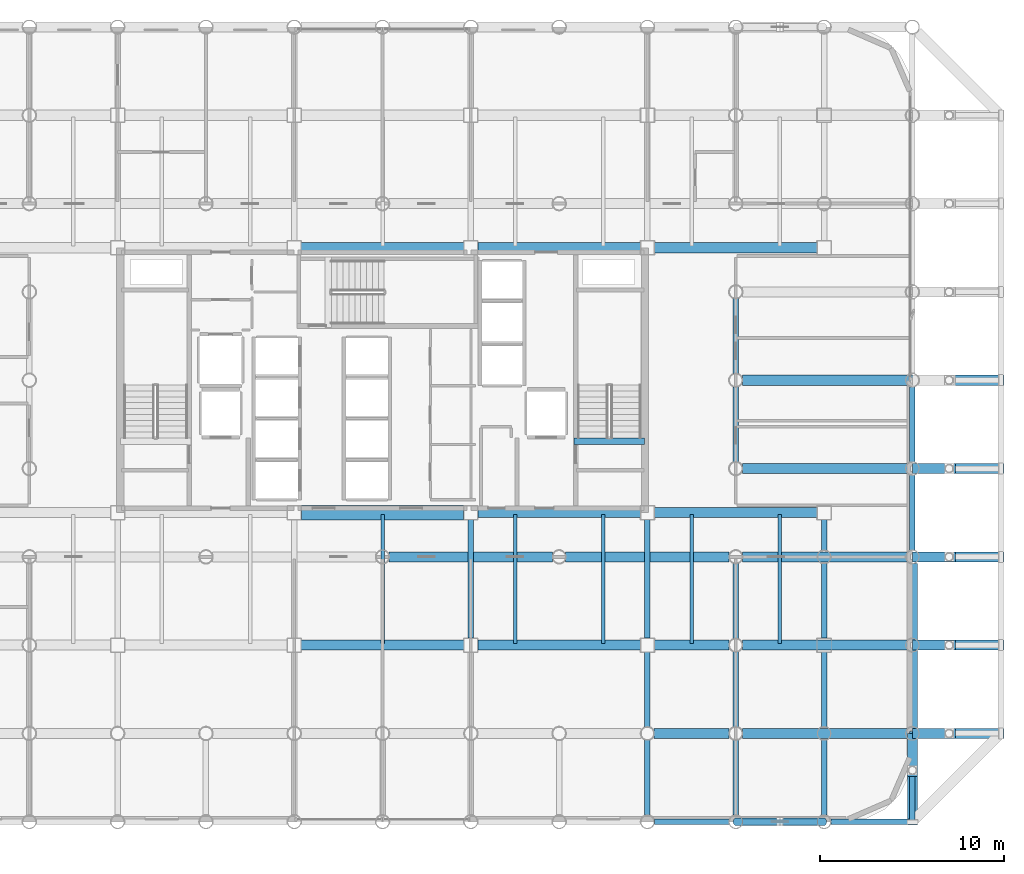
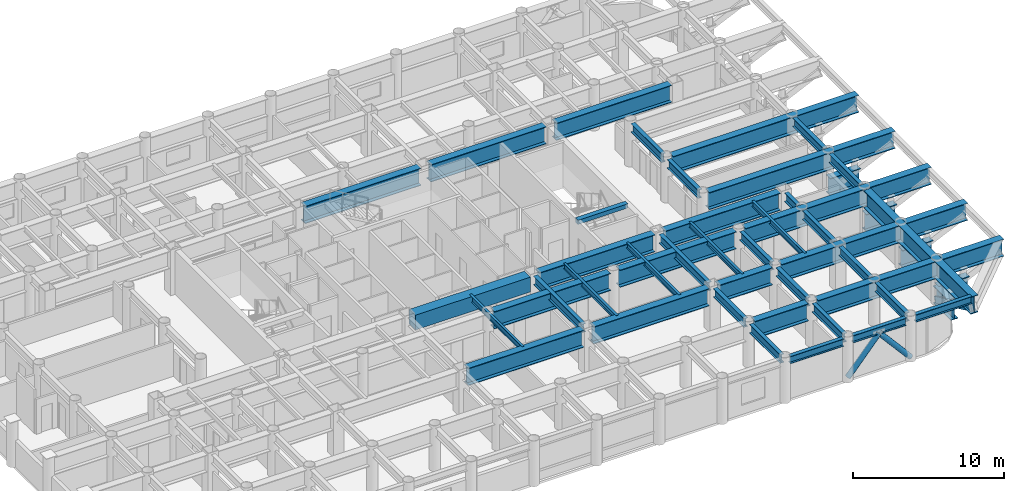
# One storey, part 9 of 26: 47 beams, 3 members.
"""IFC4 building model written with IfcOpenShell, lengths in metres."""

from ifc_helpers import new_model, si_unit, direction, frame, origin, origin_2d, place, context, subcontext, project, spatial, rectangle, hollow_rectangle, hollow_circle, i_section, extrude, material, material_profile, profile_set, type_object, element, save


model = new_model("IFC4")

# Units and contexts
model_context = context("Model", 3, precision=1e-05, world=origin(), true_north=direction((0.0, 1.0)))
body_context = subcontext(model_context, "Body", "Model", "MODEL_VIEW")
ifc_project = project(units=[si_unit("LENGTHUNIT", "METRE"), si_unit("AREAUNIT", "SQUARE_METRE"), si_unit("VOLUMEUNIT", "CUBIC_METRE"), si_unit("PLANEANGLEUNIT", "RADIAN"), si_unit("MASSUNIT", "GRAM", prefix="KILO")], contexts=[model_context])

# Site, building, storey
site_placement = place(None, origin())
site = spatial("IfcSite", under=ifc_project, at=site_placement, CompositionType="ELEMENT")
building_placement = place(site_placement, origin())
building = spatial("IfcBuilding", under=site, at=building_placement, Name="Kallvorn Hotel Tower", CompositionType="ELEMENT")
storey_placement = place(building_placement, frame((0.0, 0.0, 55.89990234375)))
storey = spatial("IfcBuildingStorey", under=building, at=storey_placement, Name="L12", CompositionType="ELEMENT", Elevation=55.89990234375)

# Beams
ifc_material_1 = material(Name="Structural steel S355JR", Category="steel")
ifc_material_profile_1 = material_profile(ifc_material_1, i_section(OverallWidth=0.300048828125, OverallDepth=0.60009765625, WebThickness=0.015380859375, FlangeThickness=0.030029296875, at=origin_2d()), Name="HE 600 B")
ifc_profile_set_1 = profile_set([ifc_material_profile_1], Name="Structural steel S355JR")
beam_type_1 = type_object("IfcBeamType", Name="BM_HE600B", PredefinedType="SPANDREL", material=ifc_profile_set_1)
beam_1_placement = place(storey_placement, frame((14.77099609375, -24.0, 3.22021484375), z_axis=(1.0, 0.0, 0.0), x_axis=(0.0, 1.0, 0.0)))
element("IfcBeam", 1, at=beam_1_placement, inside=storey, type_object=beam_type_1, Name="L13 Perimeter Spandrel 168", PredefinedType="SPANDREL", context=body_context, shape_type="SweptSolid", body=[
    extrude(i_section(OverallWidth=0.300048828125, OverallDepth=0.60009765625, WebThickness=0.015380859375, FlangeThickness=0.030029296875, at=origin_2d()), origin(), (0.0, 0.0, 1.0), 4.05810546875),
])
beam_2_placement = place(storey_placement, frame((19.571044921875, -24.0, 3.22021484375), z_axis=(1.0, 0.0, 0.0), x_axis=(0.0, 1.0, 0.0)))
element("IfcBeam", 2, at=beam_2_placement, inside=storey, type_object=beam_type_1, Name="L13 Perimeter Spandrel 169", PredefinedType="SPANDREL", context=body_context, shape_type="SweptSolid", body=[
    extrude(i_section(OverallWidth=0.300048828125, OverallDepth=0.60009765625, WebThickness=0.015380859375, FlangeThickness=0.030029296875, at=origin_2d()), origin(), (0.0, 0.0, 1.0), 4.057861328125),
])
beam_3_placement = place(storey_placement, frame((24.37109375, -24.0, 3.22021484375), z_axis=(1.0, 0.0, 0.0), x_axis=(0.0, 1.0, 0.0)))
element("IfcBeam", 3, at=beam_3_placement, inside=storey, type_object=beam_type_1, Name="L13 Perimeter Spandrel 170", PredefinedType="SPANDREL", context=body_context, shape_type="SweptSolid", body=[
    extrude(i_section(OverallWidth=0.300048828125, OverallDepth=0.60009765625, WebThickness=0.015380859375, FlangeThickness=0.030029296875, at=origin_2d()), origin(), (0.0, 0.0, 1.0), 4.27880859375),
])
ifc_material_2 = material(Name="Structural steel S355JR", Category="steel")
ifc_material_profile_2 = material_profile(ifc_material_2, i_section(OverallWidth=0.300048828125, OverallDepth=0.699951171875, WebThickness=0.01708984375, FlangeThickness=0.031982421875, at=origin_2d()), Name="HE 700 B")
ifc_profile_set_2 = profile_set([ifc_material_profile_2], Name="Structural steel S355JR")
beam_type_2 = type_object("IfcBeamType", Name="BM_HE700B", PredefinedType="BEAM", material=ifc_profile_set_2)
beam_4_placement = place(storey_placement, frame((4.800048828125, -14.02490234375, 3.170166015625), z_axis=(0.0, 1.0, 0.0), x_axis=(-1.0, 0.0, 0.0)))
element("IfcBeam", 4, at=beam_4_placement, inside=storey, type_object=beam_type_2, Name="L13 Primary Y-Girder 125", PredefinedType="BEAM", context=body_context, shape_type="SweptSolid", body=[
    extrude(i_section(OverallWidth=0.300048828125, OverallDepth=0.699951171875, WebThickness=0.01708984375, FlangeThickness=0.031982421875, at=origin_2d()), origin(), (0.0, 0.0, 1.0), 6.449951171875),
])
beam_5_placement = place(storey_placement, frame((14.39990234375, -23.64404296875, 3.170166015625), z_axis=(0.0, 1.0, 0.0), x_axis=(-1.0, 0.0, 0.0)))
element("IfcBeam", 5, at=beam_5_placement, inside=storey, type_object=beam_type_2, Name="L13 Primary Y-Girder 131", PredefinedType="BEAM", context=body_context, shape_type="SweptSolid", body=[
    extrude(i_section(OverallWidth=0.300048828125, OverallDepth=0.699951171875, WebThickness=0.01708984375, FlangeThickness=0.031982421875, at=origin_2d()), origin(), (0.0, 0.0, 1.0), 4.088134765625),
])
beam_6_placement = place(storey_placement, frame((14.39990234375, -18.843994140625, 3.170166015625), z_axis=(0.0, 1.0, 0.0), x_axis=(-1.0, 0.0, 0.0)))
element("IfcBeam", 6, at=beam_6_placement, inside=storey, type_object=beam_type_2, Name="L13 Primary Y-Girder 132", PredefinedType="BEAM", context=body_context, shape_type="SweptSolid", body=[
    extrude(i_section(OverallWidth=0.300048828125, OverallDepth=0.699951171875, WebThickness=0.01708984375, FlangeThickness=0.031982421875, at=origin_2d()), origin(), (0.0, 0.0, 1.0), 4.069091796875),
])
beam_7_placement = place(storey_placement, frame((14.39990234375, -14.02490234375, 3.170166015625), z_axis=(0.0, 1.0, 0.0), x_axis=(-1.0, 0.0, 0.0)))
element("IfcBeam", 7, at=beam_7_placement, inside=storey, type_object=beam_type_2, Name="L13 Primary Y-Girder 133", PredefinedType="BEAM", context=body_context, shape_type="SweptSolid", body=[
    extrude(i_section(OverallWidth=0.300048828125, OverallDepth=0.699951171875, WebThickness=0.01708984375, FlangeThickness=0.031982421875, at=origin_2d()), origin(), (0.0, 0.0, 1.0), 6.449951171875),
])
beam_8_placement = place(storey_placement, frame((19.199951171875, -23.64404296875, 3.170166015625), z_axis=(0.0, 1.0, 0.0), x_axis=(-1.0, 0.0, 0.0)))
element("IfcBeam", 8, at=beam_8_placement, inside=storey, type_object=beam_type_2, Name="L13 Primary Y-Girder 136", PredefinedType="BEAM", context=body_context, shape_type="SweptSolid", body=[
    extrude(i_section(OverallWidth=0.300048828125, OverallDepth=0.699951171875, WebThickness=0.01708984375, FlangeThickness=0.031982421875, at=origin_2d()), origin(), (0.0, 0.0, 1.0), 4.088134765625),
])
for number, where, z_axis, x_axis, name in (
    (9, (19.199951171875, -18.843994140625, 3.170166015625), (0.0, 1.0, 0.0), (-1.0, 0.0, 0.0), "L13 Primary Y-Girder 137"),
    (10, (19.199951171875, -14.0439453125, 3.170166015625), (0.0, 1.0, 0.0), (-1.0, 0.0, 0.0), "L13 Primary Y-Girder 138"),
):
    element("IfcBeam", number, at=place(storey_placement, frame(where, z_axis=z_axis, x_axis=x_axis)), inside=storey, type_object=beam_type_2, Name=name, PredefinedType="BEAM", context=body_context, shape_type="SweptSolid", body=[
        extrude(i_section(OverallWidth=0.300048828125, OverallDepth=0.699951171875, WebThickness=0.01708984375, FlangeThickness=0.031982421875, at=origin_2d()), origin(), (0.0, 0.0, 1.0), 4.087890625),
    ])
for number, where, z_axis, x_axis, name in (
    (11, (19.199951171875, -4.444091796875, 3.170166015625), (0.0, 1.0, 0.0), (-1.0, 0.0, 0.0), "L13 Primary Y-Girder 140"),
    (12, (19.199951171875, 0.35595703125, 3.170166015625), (0.0, 1.0, 0.0), (-1.0, 0.0, 0.0), "L13 Primary Y-Girder 141"),
    (13, (24.0, -23.64404296875, 3.170166015625), (0.0, 1.0, 0.0), (-1.0, 0.0, 0.0), "L13 Primary Y-Girder 145"),
):
    element("IfcBeam", number, at=place(storey_placement, frame(where, z_axis=z_axis, x_axis=x_axis)), inside=storey, type_object=beam_type_2, Name=name, PredefinedType="BEAM", context=body_context, shape_type="SweptSolid", body=[
        extrude(i_section(OverallWidth=0.300048828125, OverallDepth=0.699951171875, WebThickness=0.01708984375, FlangeThickness=0.031982421875, at=origin_2d()), origin(), (0.0, 0.0, 1.0), 4.088134765625),
    ])
beam_9_placement = place(storey_placement, frame((24.0, -18.843994140625, 3.170166015625), z_axis=(0.0, 1.0, 0.0), x_axis=(-1.0, 0.0, 0.0)))
element("IfcBeam", 14, at=beam_9_placement, inside=storey, type_object=beam_type_2, Name="L13 Primary Y-Girder 146", PredefinedType="BEAM", context=body_context, shape_type="SweptSolid", body=[
    extrude(i_section(OverallWidth=0.300048828125, OverallDepth=0.699951171875, WebThickness=0.01708984375, FlangeThickness=0.031982421875, at=origin_2d()), origin(), (0.0, 0.0, 1.0), 4.069091796875),
])
beam_10_placement = place(storey_placement, frame((24.0, -14.02490234375, 3.170166015625), z_axis=(0.0, 1.0, 0.0), x_axis=(-1.0, 0.0, 0.0)))
element("IfcBeam", 15, at=beam_10_placement, inside=storey, type_object=beam_type_2, Name="L13 Primary Y-Girder 147", PredefinedType="BEAM", context=body_context, shape_type="SweptSolid", body=[
    extrude(i_section(OverallWidth=0.300048828125, OverallDepth=0.699951171875, WebThickness=0.01708984375, FlangeThickness=0.031982421875, at=origin_2d()), origin(), (0.0, 0.0, 1.0), 4.06884765625),
])
beam_11_placement = place(storey_placement, frame((24.0, -9.243896484375, 3.170166015625), z_axis=(0.0, 1.0, 0.0), x_axis=(-1.0, 0.0, 0.0)))
element("IfcBeam", 16, at=beam_11_placement, inside=storey, type_object=beam_type_2, Name="L13 Primary Y-Girder 148", PredefinedType="BEAM", context=body_context, shape_type="SweptSolid", body=[
    extrude(i_section(OverallWidth=0.300048828125, OverallDepth=0.699951171875, WebThickness=0.01708984375, FlangeThickness=0.031982421875, at=origin_2d()), origin(), (0.0, 0.0, 1.0), 1.6689453125),
])
beam_12_placement = place(storey_placement, frame((28.800048828125, -9.243896484375, 3.170166015625), z_axis=(0.0, 1.0, 0.0), x_axis=(-1.0, 0.0, 0.0)))
element("IfcBeam", 17, at=beam_12_placement, inside=storey, type_object=beam_type_2, Name="L13 Primary Y-Girder 154", PredefinedType="BEAM", context=body_context, shape_type="SweptSolid", body=[
    extrude(i_section(OverallWidth=0.300048828125, OverallDepth=0.699951171875, WebThickness=0.01708984375, FlangeThickness=0.031982421875, at=origin_2d()), origin(), (0.0, 0.0, 1.0), 4.087890625),
])
beam_13_placement = place(storey_placement, frame((28.800048828125, -4.444091796875, 3.170166015625), z_axis=(0.0, 1.0, 0.0), x_axis=(-1.0, 0.0, 0.0)))
element("IfcBeam", 18, at=beam_13_placement, inside=storey, type_object=beam_type_2, Name="L13 Primary Y-Girder 155", PredefinedType="BEAM", context=body_context, shape_type="SweptSolid", body=[
    extrude(i_section(OverallWidth=0.300048828125, OverallDepth=0.699951171875, WebThickness=0.01708984375, FlangeThickness=0.031982421875, at=origin_2d()), origin(), (0.0, 0.0, 1.0), 4.088134765625),
])
ifc_material_3 = material(Name="Structural steel S355JR", Category="steel")
ifc_material_profile_3 = material_profile(ifc_material_3, i_section(OverallWidth=0.18994140625, OverallDepth=0.449951171875, WebThickness=0.009521484375, FlangeThickness=0.0146484375, at=origin_2d()), Name="IPE 450")
ifc_profile_set_3 = profile_set([ifc_material_profile_3], Name="Structural steel S355JR")
beam_type_3 = type_object("IfcBeamType", Name="BM_IPE450", PredefinedType="JOIST", material=ifc_profile_set_3)
for number, where, z_axis, x_axis, name in (
    (19, (0.0, -14.300048828125, 3.295166015625), (0.0, 1.0, 0.0), (-1.0, 0.0, 0.0), "L13 Secondary Composite Joist 209"),
    (20, (7.199951171875, -14.300048828125, 3.295166015625), (0.0, 1.0, 0.0), (-1.0, 0.0, 0.0), "L13 Secondary Composite Joist 211"),
    (21, (12.0, -14.300048828125, 3.295166015625), (0.0, 1.0, 0.0), (-1.0, 0.0, 0.0), "L13 Secondary Composite Joist 213"),
    (22, (16.800048828125, -14.300048828125, 3.295166015625), (0.0, 1.0, 0.0), (-1.0, 0.0, 0.0), "L13 Secondary Composite Joist 215"),
    (23, (21.60009765625, -14.300048828125, 3.295166015625), (0.0, 1.0, 0.0), (-1.0, 0.0, 0.0), "L13 Secondary Composite Joist 217"),
):
    element("IfcBeam", number, at=place(storey_placement, frame(where, z_axis=z_axis, x_axis=x_axis)), inside=storey, type_object=beam_type_3, Name=name, PredefinedType="JOIST", context=body_context, shape_type="SweptSolid", body=[
        extrude(i_section(OverallWidth=0.18994140625, OverallDepth=0.449951171875, WebThickness=0.009521484375, FlangeThickness=0.0146484375, at=origin_2d()), origin(), (0.0, 0.0, 1.0), 7.0),
    ])
ifc_material_4 = material(Name="Structural steel S355JR", Category="steel")
ifc_material_profile_4 = material_profile(ifc_material_4, i_section(OverallWidth=0.550048828125, OverallDepth=1.39990234375, WebThickness=0.02490234375, FlangeThickness=0.044921875, at=origin_2d()), Name="PG 1400x550x25x45")
ifc_profile_set_4 = profile_set([ifc_material_profile_4], Name="Structural steel S355JR")
beam_type_4 = type_object("IfcBeamType", Name="BM_PG_1400", PredefinedType="BEAM", material=ifc_profile_set_4)
beam_14_placement = place(storey_placement, frame((28.800048828125, -9.970947265625, 2.820068359375), z_axis=(0.0, -1.0, 0.0), x_axis=(1.0, 0.0, 0.0)))
element("IfcBeam", 24, at=beam_14_placement, inside=storey, type_object=beam_type_4, Name="L13 Continuous Cantilever Transfer Girder 01", PredefinedType="BEAM", context=body_context, shape_type="SweptSolid", body=[
    extrude(i_section(OverallWidth=0.550048828125, OverallDepth=1.39990234375, WebThickness=0.02490234375, FlangeThickness=0.044921875, at=origin_2d()), origin(), (0.0, 0.0, 1.0), 14.208984375),
])
beam_15_placement = place(storey_placement, frame((28.800048828125, -19.199951171875, 0.72021484375), z_axis=(0.0, -1.0, 0.0), x_axis=(1.0, 0.0, 0.0)))
element("IfcBeam", 25, at=beam_15_placement, inside=storey, type_object=beam_type_4, Name="L13 Cantilever Haunch Corbel 01", PredefinedType="BEAM", context=body_context, shape_type="SweptSolid", body=[
    extrude(i_section(OverallWidth=0.550048828125, OverallDepth=1.39990234375, WebThickness=0.02490234375, FlangeThickness=0.044921875, at=origin_2d()), origin(), (0.0, 0.0, 1.0), 2.35009765625),
])
beam_16_placement = place(storey_placement, frame((19.571044921875, -19.199951171875, 2.820068359375), z_axis=(1.0, 0.0, 0.0), x_axis=(0.0, 1.0, 0.0)))
element("IfcBeam", 26, at=beam_16_placement, inside=storey, type_object=beam_type_4, Name="L13 Continuous Cantilever Transfer Girder 02", PredefinedType="BEAM", context=body_context, shape_type="SweptSolid", body=[
    extrude(i_section(OverallWidth=0.550048828125, OverallDepth=1.39990234375, WebThickness=0.02490234375, FlangeThickness=0.044921875, at=origin_2d()), origin(), (0.0, 0.0, 1.0), 14.208984375),
])
beam_17_placement = place(storey_placement, frame((28.800048828125, -19.199951171875, 0.72021484375), z_axis=(1.0, 0.0, 0.0), x_axis=(0.0, 1.0, 0.0)))
element("IfcBeam", 27, at=beam_17_placement, inside=storey, type_object=beam_type_4, Name="L13 Cantilever Haunch Corbel 02", PredefinedType="BEAM", context=body_context, shape_type="SweptSolid", body=[
    extrude(i_section(OverallWidth=0.550048828125, OverallDepth=1.39990234375, WebThickness=0.02490234375, FlangeThickness=0.044921875, at=origin_2d()), origin(), (0.0, 0.0, 1.0), 2.349853515625),
])
beam_18_placement = place(storey_placement, frame((19.571044921875, -14.39990234375, 2.820068359375), z_axis=(1.0, 0.0, 0.0), x_axis=(0.0, 1.0, 0.0)))
element("IfcBeam", 28, at=beam_18_placement, inside=storey, type_object=beam_type_4, Name="L13 Continuous Cantilever Transfer Girder 03", PredefinedType="BEAM", context=body_context, shape_type="SweptSolid", body=[
    extrude(i_section(OverallWidth=0.550048828125, OverallDepth=1.39990234375, WebThickness=0.02490234375, FlangeThickness=0.044921875, at=origin_2d()), origin(), (0.0, 0.0, 1.0), 14.208984375),
])
beam_19_placement = place(storey_placement, frame((28.800048828125, -14.39990234375, 0.72021484375), z_axis=(1.0, 0.0, 0.0), x_axis=(0.0, 1.0, 0.0)))
element("IfcBeam", 29, at=beam_19_placement, inside=storey, type_object=beam_type_4, Name="L13 Cantilever Haunch Corbel 03", PredefinedType="BEAM", context=body_context, shape_type="SweptSolid", body=[
    extrude(i_section(OverallWidth=0.550048828125, OverallDepth=1.39990234375, WebThickness=0.02490234375, FlangeThickness=0.044921875, at=origin_2d()), origin(), (0.0, 0.0, 1.0), 2.349853515625),
])
beam_20_placement = place(storey_placement, frame((19.571044921875, -9.60009765625, 2.820068359375), z_axis=(1.0, 0.0, 0.0), x_axis=(0.0, 1.0, 0.0)))
element("IfcBeam", 30, at=beam_20_placement, inside=storey, type_object=beam_type_4, Name="L13 Continuous Cantilever Transfer Girder 04", PredefinedType="BEAM", context=body_context, shape_type="SweptSolid", body=[
    extrude(i_section(OverallWidth=0.550048828125, OverallDepth=1.39990234375, WebThickness=0.02490234375, FlangeThickness=0.044921875, at=origin_2d()), origin(), (0.0, 0.0, 1.0), 14.208984375),
])
beam_21_placement = place(storey_placement, frame((28.800048828125, -9.60009765625, 0.72021484375), z_axis=(1.0, 0.0, 0.0), x_axis=(0.0, 1.0, 0.0)))
element("IfcBeam", 31, at=beam_21_placement, inside=storey, type_object=beam_type_4, Name="L13 Cantilever Haunch Corbel 04", PredefinedType="BEAM", context=body_context, shape_type="SweptSolid", body=[
    extrude(i_section(OverallWidth=0.550048828125, OverallDepth=1.39990234375, WebThickness=0.02490234375, FlangeThickness=0.044921875, at=origin_2d()), origin(), (0.0, 0.0, 1.0), 2.349853515625),
])
beam_22_placement = place(storey_placement, frame((19.571044921875, -4.800048828125, 2.820068359375), z_axis=(1.0, 0.0, 0.0), x_axis=(0.0, 1.0, 0.0)))
element("IfcBeam", 32, at=beam_22_placement, inside=storey, type_object=beam_type_4, Name="L13 Continuous Cantilever Transfer Girder 05", PredefinedType="BEAM", context=body_context, shape_type="SweptSolid", body=[
    extrude(i_section(OverallWidth=0.550048828125, OverallDepth=1.39990234375, WebThickness=0.02490234375, FlangeThickness=0.044921875, at=origin_2d()), origin(), (0.0, 0.0, 1.0), 14.208984375),
])
beam_23_placement = place(storey_placement, frame((28.800048828125, -4.800048828125, 0.72021484375), z_axis=(1.0, 0.0, 0.0), x_axis=(0.0, 1.0, 0.0)))
element("IfcBeam", 33, at=beam_23_placement, inside=storey, type_object=beam_type_4, Name="L13 Cantilever Haunch Corbel 05", PredefinedType="BEAM", context=body_context, shape_type="SweptSolid", body=[
    extrude(i_section(OverallWidth=0.550048828125, OverallDepth=1.39990234375, WebThickness=0.02490234375, FlangeThickness=0.044921875, at=origin_2d()), origin(), (0.0, 0.0, 1.0), 2.349853515625),
])
beam_24_placement = place(storey_placement, frame((19.571044921875, 0.0, 2.820068359375), z_axis=(1.0, 0.0, 0.0), x_axis=(0.0, 1.0, 0.0)))
element("IfcBeam", 34, at=beam_24_placement, inside=storey, type_object=beam_type_4, Name="L13 Continuous Cantilever Transfer Girder 06", PredefinedType="BEAM", context=body_context, shape_type="SweptSolid", body=[
    extrude(i_section(OverallWidth=0.550048828125, OverallDepth=1.39990234375, WebThickness=0.02490234375, FlangeThickness=0.044921875, at=origin_2d()), origin(), (0.0, 0.0, 1.0), 14.208984375),
])
beam_25_placement = place(storey_placement, frame((14.756103515625, -19.199951171875, 2.820068359375), z_axis=(1.0, 0.0, 0.0), x_axis=(0.0, 1.0, 0.0)))
element("IfcBeam", 35, at=beam_25_placement, inside=storey, type_object=beam_type_4, Name="L13 Primary X-Girder 20", PredefinedType="BEAM", context=body_context, shape_type="SweptSolid", body=[
    extrude(i_section(OverallWidth=0.550048828125, OverallDepth=1.39990234375, WebThickness=0.02490234375, FlangeThickness=0.044921875, at=origin_2d()), origin(), (0.0, 0.0, 1.0), 4.087890625),
])
beam_26_placement = place(storey_placement, frame((-4.425048828125, -14.39990234375, 2.820068359375), z_axis=(1.0, 0.0, 0.0), x_axis=(0.0, 1.0, 0.0)))
element("IfcBeam", 36, at=beam_26_placement, inside=storey, type_object=beam_type_4, Name="L13 Primary X-Girder 28", PredefinedType="BEAM", context=body_context, shape_type="SweptSolid", body=[
    extrude(i_section(OverallWidth=0.550048828125, OverallDepth=1.39990234375, WebThickness=0.02490234375, FlangeThickness=0.044921875, at=origin_2d()), origin(), (0.0, 0.0, 1.0), 8.85009765625),
])
beam_27_placement = place(storey_placement, frame((5.175048828125, -14.39990234375, 2.820068359375), z_axis=(1.0, 0.0, 0.0), x_axis=(0.0, 1.0, 0.0)))
element("IfcBeam", 37, at=beam_27_placement, inside=storey, type_object=beam_type_4, Name="L13 Primary X-Girder 29", PredefinedType="BEAM", context=body_context, shape_type="SweptSolid", body=[
    extrude(i_section(OverallWidth=0.550048828125, OverallDepth=1.39990234375, WebThickness=0.02490234375, FlangeThickness=0.044921875, at=origin_2d()), origin(), (0.0, 0.0, 1.0), 8.849853515625),
])
beam_28_placement = place(storey_placement, frame((14.77490234375, -14.39990234375, 2.820068359375), z_axis=(1.0, 0.0, 0.0), x_axis=(0.0, 1.0, 0.0)))
element("IfcBeam", 38, at=beam_28_placement, inside=storey, type_object=beam_type_4, Name="L13 Primary X-Girder 30", PredefinedType="BEAM", context=body_context, shape_type="SweptSolid", body=[
    extrude(i_section(OverallWidth=0.550048828125, OverallDepth=1.39990234375, WebThickness=0.02490234375, FlangeThickness=0.044921875, at=origin_2d()), origin(), (0.0, 0.0, 1.0), 4.069091796875),
])
for number, where, z_axis, x_axis, name in (
    (39, (0.35595703125, -9.60009765625, 2.820068359375), (1.0, 0.0, 0.0), (0.0, 1.0, 0.0), "L13 Primary X-Girder 38"),
    (40, (9.9560546875, -9.60009765625, 2.820068359375), (1.0, 0.0, 0.0), (0.0, 1.0, 0.0), "L13 Primary X-Girder 39"),
):
    element("IfcBeam", number, at=place(storey_placement, frame(where, z_axis=z_axis, x_axis=x_axis)), inside=storey, type_object=beam_type_4, Name=name, PredefinedType="BEAM", context=body_context, shape_type="SweptSolid", body=[
        extrude(i_section(OverallWidth=0.550048828125, OverallDepth=1.39990234375, WebThickness=0.02490234375, FlangeThickness=0.044921875, at=origin_2d()), origin(), (0.0, 0.0, 1.0), 8.887939453125),
    ])
beam_29_placement = place(storey_placement, frame((5.175048828125, -7.199951171875, 2.820068359375), z_axis=(1.0, 0.0, 0.0), x_axis=(0.0, 1.0, 0.0)))
element("IfcBeam", 41, at=beam_29_placement, inside=storey, type_object=beam_type_4, Name="L13 Primary X-Girder 44", PredefinedType="BEAM", context=body_context, shape_type="SweptSolid", body=[
    extrude(i_section(OverallWidth=0.550048828125, OverallDepth=1.39990234375, WebThickness=0.02490234375, FlangeThickness=0.044921875, at=origin_2d()), origin(), (0.0, 0.0, 1.0), 8.849853515625),
])
for number, where, z_axis, x_axis, name in (
    (42, (14.77490234375, -7.199951171875, 2.820068359375), (1.0, 0.0, 0.0), (0.0, 1.0, 0.0), "L13 Primary X-Girder 45"),
    (43, (-4.425048828125, 7.199951171875, 2.820068359375), (1.0, 0.0, 0.0), (0.0, 1.0, 0.0), "L13 Primary X-Girder 48"),
):
    element("IfcBeam", number, at=place(storey_placement, frame(where, z_axis=z_axis, x_axis=x_axis)), inside=storey, type_object=beam_type_4, Name=name, PredefinedType="BEAM", context=body_context, shape_type="SweptSolid", body=[
        extrude(i_section(OverallWidth=0.550048828125, OverallDepth=1.39990234375, WebThickness=0.02490234375, FlangeThickness=0.044921875, at=origin_2d()), origin(), (0.0, 0.0, 1.0), 8.85009765625),
    ])
beam_30_placement = place(storey_placement, frame((5.175048828125, 7.199951171875, 2.820068359375), z_axis=(1.0, 0.0, 0.0), x_axis=(0.0, 1.0, 0.0)))
element("IfcBeam", 44, at=beam_30_placement, inside=storey, type_object=beam_type_4, Name="L13 Primary X-Girder 49", PredefinedType="BEAM", context=body_context, shape_type="SweptSolid", body=[
    extrude(i_section(OverallWidth=0.550048828125, OverallDepth=1.39990234375, WebThickness=0.02490234375, FlangeThickness=0.044921875, at=origin_2d()), origin(), (0.0, 0.0, 1.0), 8.849853515625),
])
beam_31_placement = place(storey_placement, frame((14.77490234375, 7.199951171875, 2.820068359375), z_axis=(1.0, 0.0, 0.0), x_axis=(0.0, 1.0, 0.0)))
element("IfcBeam", 45, at=beam_31_placement, inside=storey, type_object=beam_type_4, Name="L13 Primary X-Girder 50", PredefinedType="BEAM", context=body_context, shape_type="SweptSolid", body=[
    extrude(i_section(OverallWidth=0.550048828125, OverallDepth=1.39990234375, WebThickness=0.02490234375, FlangeThickness=0.044921875, at=origin_2d()), origin(), (0.0, 0.0, 1.0), 8.85009765625),
])
ifc_material_5 = material(Name="Concrete C50/60", Category="concrete")
ifc_material_profile_5 = material_profile(ifc_material_5, rectangle(XDim=0.360107421875, YDim=0.340087890625, at=origin_2d()), Name="RC 360x340")
ifc_profile_set_5 = profile_set([ifc_material_profile_5], Name="Concrete C50/60")
beam_type_5 = type_object("IfcBeamType", Name="BM_RC_400x360", PredefinedType="BEAM", material=ifc_profile_set_5)
beam_32_placement = place(storey_placement, frame((14.239990234375, -3.31005859375, 3.35009765625), z_axis=(-1.0, 0.0, 0.0), x_axis=(0.0, -1.0, 0.0)))
element("IfcBeam", 46, at=beam_32_placement, inside=storey, type_object=beam_type_5, Name="L13 Stair ST2 Arrival Trimmer Beam", PredefinedType="BEAM", context=body_context, shape_type="SweptSolid", body=[
    extrude(rectangle(XDim=0.360107421875, YDim=0.340087890625, at=origin_2d()), origin(), (0.0, 0.0, 1.0), 3.820068359375),
])
ifc_material_6 = material(Name="Concrete C50/60", Category="concrete")
ifc_material_profile_6 = material_profile(ifc_material_6, rectangle(XDim=0.800048828125, YDim=1.199951171875, at=origin_2d()), Name="RC 800x1200")
ifc_profile_set_6 = profile_set([ifc_material_profile_6], Name="Concrete C50/60")
beam_type_6 = type_object("IfcBeamType", Name="BM_RC_800x1200", PredefinedType="T_BEAM", material=ifc_profile_set_6)
beam_33_placement = place(storey_placement, frame((-4.39990234375, -7.199951171875, 2.920166015625), z_axis=(1.0, 0.0, 0.0), x_axis=(0.0, 1.0, 0.0)))
element("IfcBeam", 47, at=beam_33_placement, inside=storey, type_object=beam_type_6, Name="L12 Core Coupling Beam South", PredefinedType="T_BEAM", context=body_context, shape_type="SweptSolid", body=[
    extrude(rectangle(XDim=0.800048828125, YDim=1.199951171875, at=origin_2d()), origin(), (0.0, 0.0, 1.0), 8.7998046875),
])

# Members
ifc_material_7 = material(Name="Structural steel S355J2H", Category="steel")
ifc_material_profile_7 = material_profile(ifc_material_7, hollow_circle(Radius=0.203125, WallThickness=0.01611328125, at=origin_2d()), Name="CHS 406.4x16")
ifc_profile_set_7 = profile_set([ifc_material_profile_7], Name="Structural steel S355J2H")
member_type_1 = type_object("IfcMemberType", Name="MBR_EXO_CHS406", PredefinedType="BRACE", material=ifc_profile_set_7)
for number, where, z_axis, x_axis, name in (
    (48, (19.213134765625, -24.0, 0.1953125), (0.65346062529, 0.0, 0.756960508346), (0.0, 1.0, 0.0), "L12 Exoskeleton K-Brace S2A"),
    (49, (23.98681640625, -24.0, 0.1953125), (-0.65346062529, 0.0, 0.756960508346), (0.0, -1.0, 0.0), "L12 Exoskeleton K-Brace S2B"),
):
    element("IfcMember", number, at=place(storey_placement, frame(where, z_axis=z_axis, x_axis=x_axis)), inside=storey, type_object=member_type_1, Name=name, PredefinedType="BRACE", context=body_context, shape_type="SweptSolid", body=[
        extrude(hollow_circle(Radius=0.203125, WallThickness=0.01611328125, at=origin_2d()), origin(), (0.0, 0.0, 1.0), 3.632568359375),
    ])
ifc_material_8 = material(Name="Structural steel S355J2H", Category="steel")
ifc_material_profile_8 = material_profile(ifc_material_8, hollow_rectangle(XDim=0.300048828125, YDim=0.5, WallThickness=0.02490234375, at=origin_2d()), Name="RHS 500x300x25")
ifc_profile_set_8 = profile_set([ifc_material_profile_8], Name="Structural steel S355J2H")
member_type_2 = type_object("IfcMemberType", Name="MBR_OUTRIGGER_RHS500", PredefinedType="BRACE", material=ifc_profile_set_8)
member_placement = place(storey_placement, frame((28.800048828125, -19.199951171875, 0.25), z_axis=(0.0, -0.907613189565, 0.419807453634), x_axis=(1.0, 0.0, 0.0)))
element("IfcMember", 50, at=member_placement, inside=storey, type_object=member_type_2, Name="L13 Exoskeleton Cantilever Raking Strut 01", PredefinedType="BRACE", context=body_context, shape_type="SweptSolid", body=[
    extrude(hollow_rectangle(XDim=0.300048828125, YDim=0.5, WallThickness=0.02490234375, at=origin_2d()), origin(), (0.0, 0.0, 1.0), 5.28857421875),
])

save(model, "model.ifc")
